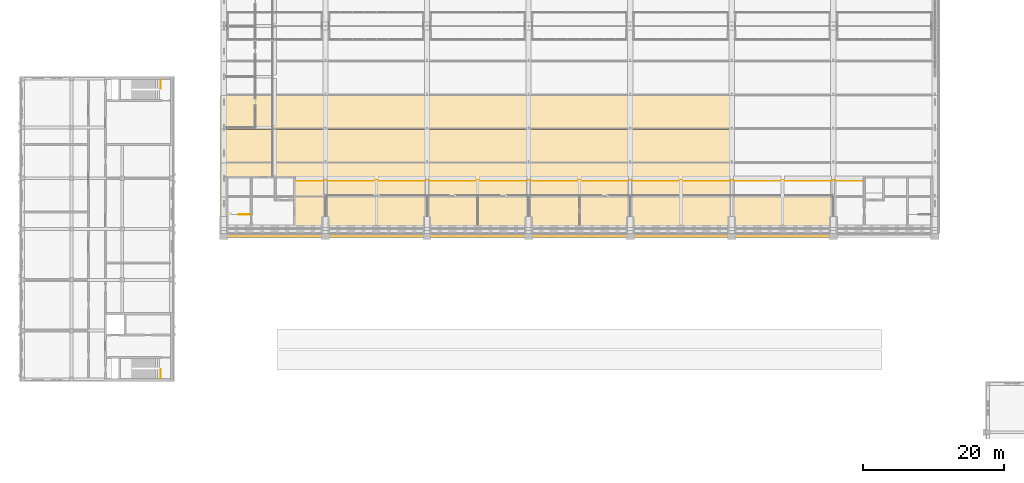
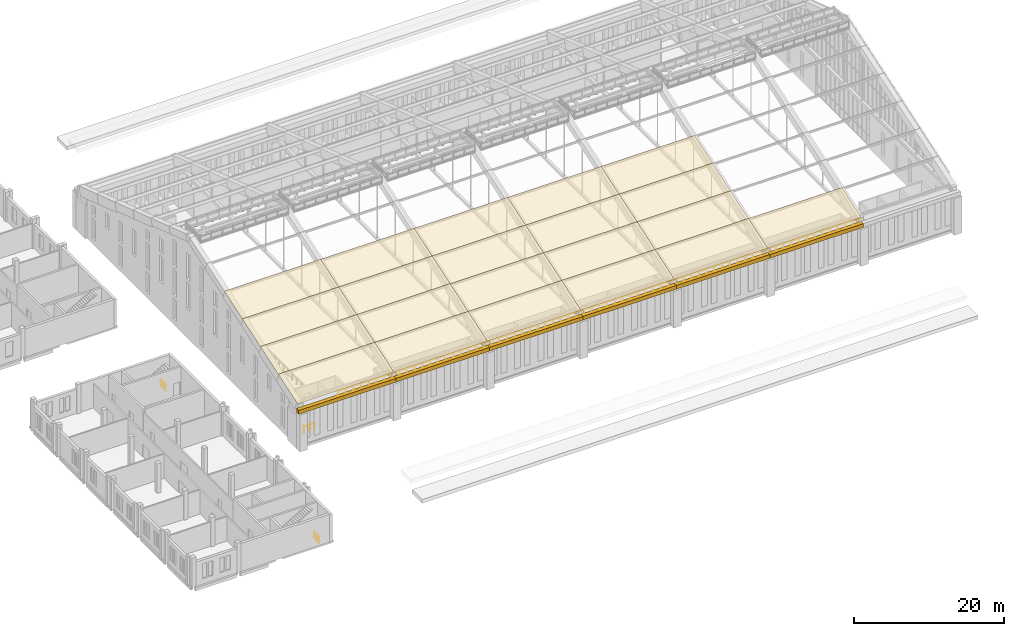
# One storey, part 145 of 149: 27 coverings, 4 railings.
"""IFC4 building model written with IfcOpenShell, lengths in metres."""

from ifc_helpers import new_model, si_unit, direction, frame, frame_2d, origin, origin_2d, place, context, subcontext, project, spatial, polyline, rectangle, circle, outline, extrude, material, layer, layer_set, type_object, element, save


model = new_model("IFC4")

# Units and contexts
model_context = context("Model", 3, precision=1e-05, world=origin(), true_north=direction((0.0, 1.0)))
body_context = subcontext(model_context, "Body", "Model", "MODEL_VIEW")
ifc_project = project(units=[si_unit("LENGTHUNIT", "METRE"), si_unit("AREAUNIT", "SQUARE_METRE"), si_unit("VOLUMEUNIT", "CUBIC_METRE"), si_unit("PLANEANGLEUNIT", "RADIAN"), si_unit("MASSUNIT", "GRAM", prefix="KILO")], contexts=[model_context])

# Site, building, storey
site_placement = place(None, origin())
site = spatial("IfcSite", under=ifc_project, at=site_placement, CompositionType="ELEMENT")
building_placement = place(site_placement, origin())
building = spatial("IfcBuilding", under=site, at=building_placement, Name="Alderwick Market Hall", CompositionType="ELEMENT")
storey_placement = place(building_placement, frame((0.0, 0.0, 9.60009765625)))
storey = spatial("IfcBuildingStorey", under=building, at=storey_placement, Name="L01", CompositionType="ELEMENT", Elevation=9.60009765625)

# Railings
ifc_material_1 = material(Name="Steel ASTM A500 Grade C", Category="steel")
railing_type_1 = type_object("IfcRailingType", Name="B Stair Guard 1100", PredefinedType="GUARDRAIL", material=ifc_material_1)
railing_1_placement = place(storey_placement, frame((41.449951171875, 29.25, 0.0)))
element("IfcRailing", 1, at=railing_1_placement, inside=storey, type_object=railing_type_1, Name="Stair well guard", PredefinedType="GUARDRAIL", context=body_context, shape_type="SweptSolid", body=[
    extrude(circle(Radius=0.02392578125, at=origin_2d()), frame((0.0, 0.0, 1.076171875), z_axis=(0.0, 1.0, 0.0), x_axis=(-1.0, 0.0, 0.0)), (0.0, 0.0, 1.0), 1.27001953125),
    extrude(circle(Radius=0.02099609375, at=origin_2d()), origin(), (0.0, 0.0, 1.0), 1.052001953125),
    extrude(circle(Radius=0.02099609375, at=origin_2d()), frame((0.0, 0.635009765625, 0.0)), (0.0, 0.0, 1.0), 1.052001953125),
    extrude(circle(Radius=0.02099609375, at=origin_2d()), frame((0.0, 1.27001953125, 0.0)), (0.0, 0.0, 1.0), 1.052001953125),
])
railing_2_placement = place(storey_placement, frame((41.449951171875, 71.550048828125, 0.0)))
element("IfcRailing", 2, at=railing_2_placement, inside=storey, type_object=railing_type_1, Name="Stair well guard", PredefinedType="GUARDRAIL", context=body_context, shape_type="SweptSolid", body=[
    extrude(circle(Radius=0.02392578125, at=origin_2d()), frame((0.0, 0.0, 1.076171875), z_axis=(0.0, -1.0, 0.0), x_axis=(1.0, 0.0, 0.0)), (0.0, 0.0, 1.0), 1.27001953125),
    extrude(circle(Radius=0.02099609375, at=origin_2d()), origin(), (0.0, 0.0, 1.0), 1.052001953125),
    extrude(circle(Radius=0.02099609375, at=origin_2d()), frame((0.0, -0.635009765625, 0.0)), (0.0, 0.0, 1.0), 1.052001953125),
    extrude(circle(Radius=0.02099609375, at=origin_2d()), frame((0.0, -1.27001953125, 0.0)), (0.0, 0.0, 1.0), 1.052001953125),
])

# Coverings
ifc_material_2 = material(Name="Cast stone 5000 psi (f'c 35 MPa), ASTM C1364", Category="masonry")
ifc_layer_1 = layer(ifc_material_2, 0.60009765625)
ifc_layer_set_1 = layer_set([ifc_layer_1], Name="Cast stone 5000 psi (f'c 35 MPa), ASTM C1364")
covering_type_1 = type_object("IfcCoveringType", Name="H Cornice 600", PredefinedType="CLADDING", material=ifc_layer_set_1)
covering_1_placement = place(storey_placement, frame((49.800048828125, 49.5, 6.0), z_axis=(0.0, 0.0, 1.0), x_axis=(1.0, 0.0, 0.0)))
element("IfcCovering", 3, at=covering_1_placement, inside=storey, type_object=covering_type_1, Name="Cornice S", PredefinedType="CLADDING", context=body_context, shape_type="SweptSolid", body=[
    extrude(rectangle(XDim=15.0, YDim=0.60009765625, at=frame_2d((7.5, 0.0))), origin(), (0.0, 0.0, 1.0), 0.599853515625),
])
covering_2_placement = place(storey_placement, frame((64.800048828125, 49.5, 6.0), z_axis=(0.0, 0.0, 1.0), x_axis=(1.0, 0.0, 0.0)))
element("IfcCovering", 4, at=covering_2_placement, inside=storey, type_object=covering_type_1, Name="Cornice S", PredefinedType="CLADDING", context=body_context, shape_type="SweptSolid", body=[
    extrude(rectangle(XDim=14.39990234375, YDim=0.60009765625, at=frame_2d((7.199951171875, 0.0))), origin(), (0.0, 0.0, 1.0), 0.599853515625),
])
covering_3_placement = place(storey_placement, frame((79.199951171875, 49.5, 6.0), z_axis=(0.0, 0.0, 1.0), x_axis=(1.0, 0.0, 0.0)))
element("IfcCovering", 5, at=covering_3_placement, inside=storey, type_object=covering_type_1, Name="Cornice S", PredefinedType="CLADDING", context=body_context, shape_type="SweptSolid", body=[
    extrude(rectangle(XDim=14.400146484375, YDim=0.60009765625, at=frame_2d((7.2001953125, 0.0))), origin(), (0.0, 0.0, 1.0), 0.599853515625),
])
for number, where, z_axis, x_axis, name in (
    (6, (93.60009765625, 49.5, 6.0), (0.0, 0.0, 1.0), (1.0, 0.0, 0.0), "Cornice S"),
    (7, (108.0, 49.5, 6.0), (0.0, 0.0, 1.0), (1.0, 0.0, 0.0), "Cornice S"),
):
    element("IfcCovering", number, at=place(storey_placement, frame(where, z_axis=z_axis, x_axis=x_axis)), inside=storey, type_object=covering_type_1, Name=name, PredefinedType="CLADDING", context=body_context, shape_type="SweptSolid", body=[
        extrude(rectangle(XDim=14.39990234375, YDim=0.60009765625, at=frame_2d((7.199951171875, 0.0))), origin(), (0.0, 0.0, 1.0), 0.599853515625),
    ])
covering_4_placement = place(storey_placement, frame((122.39990234375, 49.5, 6.0), z_axis=(0.0, 0.0, 1.0), x_axis=(1.0, 0.0, 0.0)))
element("IfcCovering", 8, at=covering_4_placement, inside=storey, type_object=covering_type_1, Name="Cornice S", PredefinedType="CLADDING", context=body_context, shape_type="SweptSolid", body=[
    extrude(rectangle(XDim=14.400146484375, YDim=0.60009765625, at=frame_2d((7.2001953125, 0.0))), origin(), (0.0, 0.0, 1.0), 0.599853515625),
])

# Railings
ifc_material_3 = material(Name="Steel, painted", Category="steel")
railing_type_2 = type_object("IfcRailingType", Name="H Guard 1100", PredefinedType="GUARDRAIL", material=ifc_material_3)
railing_3_placement = place(storey_placement, frame((54.14990234375, 52.449951171875, 0.0)))
element("IfcRailing", 9, at=railing_3_placement, inside=storey, type_object=railing_type_2, Name="L01 H-SW top well guard 1", PredefinedType="GUARDRAIL", context=body_context, shape_type="SweptSolid", body=[
    extrude(circle(Radius=0.02392578125, at=origin_2d()), frame((0.0, 0.0, 1.076171875), z_axis=(-1.0, 0.0, 0.0), x_axis=(0.0, -1.0, 0.0)), (0.0, 0.0, 1.0), 1.64990234375),
    extrude(circle(Radius=0.02099609375, at=origin_2d()), origin(), (0.0, 0.0, 1.0), 1.052001953125),
    extrude(circle(Radius=0.02099609375, at=origin_2d()), frame((-0.824951171875, 0.0, 0.0)), (0.0, 0.0, 1.0), 1.052001953125),
    extrude(circle(Radius=0.02099609375, at=origin_2d()), frame((-1.64990234375, 0.0, 0.0)), (0.0, 0.0, 1.0), 1.052001953125),
])
railing_4_placement = place(storey_placement, frame((60.550048828125, 57.300048828125, 0.0)))
element("IfcRailing", 10, at=railing_4_placement, inside=storey, type_object=railing_type_2, Name="Gallery guard S L01", PredefinedType="GUARDRAIL", context=body_context, shape_type="SweptSolid", body=[
    extrude(circle(Radius=0.02392578125, at=origin_2d()), frame((0.0, 0.0, 1.076171875), z_axis=(1.0, 0.0, 0.0), x_axis=(0.0, 1.0, 0.0)), (0.0, 0.0, 1.0), 80.5),
    extrude(circle(Radius=0.02099609375, at=origin_2d()), origin(), (0.0, 0.0, 1.0), 1.052001953125),
    extrude(circle(Radius=0.02099609375, at=origin_2d()), frame((1.183837890625, 0.0, 0.0)), (0.0, 0.0, 1.0), 1.052001953125),
    extrude(circle(Radius=0.02099609375, at=origin_2d()), frame((2.36767578125, 0.0, 0.0)), (0.0, 0.0, 1.0), 1.052001953125),
    extrude(circle(Radius=0.02099609375, at=origin_2d()), frame((3.551513671875, 0.0, 0.0)), (0.0, 0.0, 1.0), 1.052001953125),
    extrude(circle(Radius=0.02099609375, at=origin_2d()), frame((4.7353515625, 0.0, 0.0)), (0.0, 0.0, 1.0), 1.052001953125),
    extrude(circle(Radius=0.02099609375, at=origin_2d()), frame((5.919189453125, 0.0, 0.0)), (0.0, 0.0, 1.0), 1.052001953125),
    extrude(circle(Radius=0.02099609375, at=origin_2d()), frame((7.10302734375, 0.0, 0.0)), (0.0, 0.0, 1.0), 1.052001953125),
    extrude(circle(Radius=0.02099609375, at=origin_2d()), frame((8.286865234375, 0.0, 0.0)), (0.0, 0.0, 1.0), 1.052001953125),
    extrude(circle(Radius=0.02099609375, at=origin_2d()), frame((9.470703125, 0.0, 0.0)), (0.0, 0.0, 1.0), 1.052001953125),
    extrude(circle(Radius=0.02099609375, at=origin_2d()), frame((10.654296875, 0.0, 0.0)), (0.0, 0.0, 1.0), 1.052001953125),
    extrude(circle(Radius=0.02099609375, at=origin_2d()), frame((11.838134765625, 0.0, 0.0)), (0.0, 0.0, 1.0), 1.052001953125),
    extrude(circle(Radius=0.02099609375, at=origin_2d()), frame((13.02197265625, 0.0, 0.0)), (0.0, 0.0, 1.0), 1.052001953125),
    extrude(circle(Radius=0.02099609375, at=origin_2d()), frame((14.205810546875, 0.0, 0.0)), (0.0, 0.0, 1.0), 1.052001953125),
    extrude(circle(Radius=0.02099609375, at=origin_2d()), frame((15.3896484375, 0.0, 0.0)), (0.0, 0.0, 1.0), 1.052001953125),
    extrude(circle(Radius=0.02099609375, at=origin_2d()), frame((16.573486328125, 0.0, 0.0)), (0.0, 0.0, 1.0), 1.052001953125),
    extrude(circle(Radius=0.02099609375, at=origin_2d()), frame((17.75732421875, 0.0, 0.0)), (0.0, 0.0, 1.0), 1.052001953125),
    extrude(circle(Radius=0.02099609375, at=origin_2d()), frame((18.941162109375, 0.0, 0.0)), (0.0, 0.0, 1.0), 1.052001953125),
    extrude(circle(Radius=0.02099609375, at=origin_2d()), frame((20.125, 0.0, 0.0)), (0.0, 0.0, 1.0), 1.052001953125),
    extrude(circle(Radius=0.02099609375, at=origin_2d()), frame((21.308837890625, 0.0, 0.0)), (0.0, 0.0, 1.0), 1.052001953125),
    extrude(circle(Radius=0.02099609375, at=origin_2d()), frame((22.49267578125, 0.0, 0.0)), (0.0, 0.0, 1.0), 1.052001953125),
    extrude(circle(Radius=0.02099609375, at=origin_2d()), frame((23.676513671875, 0.0, 0.0)), (0.0, 0.0, 1.0), 1.052001953125),
    extrude(circle(Radius=0.02099609375, at=origin_2d()), frame((24.8603515625, 0.0, 0.0)), (0.0, 0.0, 1.0), 1.052001953125),
    extrude(circle(Radius=0.02099609375, at=origin_2d()), frame((26.044189453125, 0.0, 0.0)), (0.0, 0.0, 1.0), 1.052001953125),
    extrude(circle(Radius=0.02099609375, at=origin_2d()), frame((27.22802734375, 0.0, 0.0)), (0.0, 0.0, 1.0), 1.052001953125),
    extrude(circle(Radius=0.02099609375, at=origin_2d()), frame((28.411865234375, 0.0, 0.0)), (0.0, 0.0, 1.0), 1.052001953125),
    extrude(circle(Radius=0.02099609375, at=origin_2d()), frame((29.595703125, 0.0, 0.0)), (0.0, 0.0, 1.0), 1.052001953125),
    extrude(circle(Radius=0.02099609375, at=origin_2d()), frame((30.779296875, 0.0, 0.0)), (0.0, 0.0, 1.0), 1.052001953125),
    extrude(circle(Radius=0.02099609375, at=origin_2d()), frame((31.963134765625, 0.0, 0.0)), (0.0, 0.0, 1.0), 1.052001953125),
    extrude(circle(Radius=0.02099609375, at=origin_2d()), frame((33.14697265625, 0.0, 0.0)), (0.0, 0.0, 1.0), 1.052001953125),
    extrude(circle(Radius=0.02099609375, at=origin_2d()), frame((34.330810546875, 0.0, 0.0)), (0.0, 0.0, 1.0), 1.052001953125),
    extrude(circle(Radius=0.02099609375, at=origin_2d()), frame((35.5146484375, 0.0, 0.0)), (0.0, 0.0, 1.0), 1.052001953125),
    extrude(circle(Radius=0.02099609375, at=origin_2d()), frame((36.698486328125, 0.0, 0.0)), (0.0, 0.0, 1.0), 1.052001953125),
    extrude(circle(Radius=0.02099609375, at=origin_2d()), frame((37.88232421875, 0.0, 0.0)), (0.0, 0.0, 1.0), 1.052001953125),
    extrude(circle(Radius=0.02099609375, at=origin_2d()), frame((39.066162109375, 0.0, 0.0)), (0.0, 0.0, 1.0), 1.052001953125),
    extrude(circle(Radius=0.02099609375, at=origin_2d()), frame((40.25, 0.0, 0.0)), (0.0, 0.0, 1.0), 1.052001953125),
    extrude(circle(Radius=0.02099609375, at=origin_2d()), frame((41.433837890625, 0.0, 0.0)), (0.0, 0.0, 1.0), 1.052001953125),
    extrude(circle(Radius=0.02099609375, at=origin_2d()), frame((42.61767578125, 0.0, 0.0)), (0.0, 0.0, 1.0), 1.052001953125),
    extrude(circle(Radius=0.02099609375, at=origin_2d()), frame((43.801513671875, 0.0, 0.0)), (0.0, 0.0, 1.0), 1.052001953125),
    extrude(circle(Radius=0.02099609375, at=origin_2d()), frame((44.9853515625, 0.0, 0.0)), (0.0, 0.0, 1.0), 1.052001953125),
    extrude(circle(Radius=0.02099609375, at=origin_2d()), frame((46.169189453125, 0.0, 0.0)), (0.0, 0.0, 1.0), 1.052001953125),
    extrude(circle(Radius=0.02099609375, at=origin_2d()), frame((47.35302734375, 0.0, 0.0)), (0.0, 0.0, 1.0), 1.052001953125),
    extrude(circle(Radius=0.02099609375, at=origin_2d()), frame((48.536865234375, 0.0, 0.0)), (0.0, 0.0, 1.0), 1.052001953125),
    extrude(circle(Radius=0.02099609375, at=origin_2d()), frame((49.720703125, 0.0, 0.0)), (0.0, 0.0, 1.0), 1.052001953125),
    extrude(circle(Radius=0.02099609375, at=origin_2d()), frame((50.904296875, 0.0, 0.0)), (0.0, 0.0, 1.0), 1.052001953125),
    extrude(circle(Radius=0.02099609375, at=origin_2d()), frame((52.088134765625, 0.0, 0.0)), (0.0, 0.0, 1.0), 1.052001953125),
    extrude(circle(Radius=0.02099609375, at=origin_2d()), frame((53.27197265625, 0.0, 0.0)), (0.0, 0.0, 1.0), 1.052001953125),
    extrude(circle(Radius=0.02099609375, at=origin_2d()), frame((54.455810546875, 0.0, 0.0)), (0.0, 0.0, 1.0), 1.052001953125),
    extrude(circle(Radius=0.02099609375, at=origin_2d()), frame((55.6396484375, 0.0, 0.0)), (0.0, 0.0, 1.0), 1.052001953125),
    extrude(circle(Radius=0.02099609375, at=origin_2d()), frame((56.823486328125, 0.0, 0.0)), (0.0, 0.0, 1.0), 1.052001953125),
    extrude(circle(Radius=0.02099609375, at=origin_2d()), frame((58.00732421875, 0.0, 0.0)), (0.0, 0.0, 1.0), 1.052001953125),
    extrude(circle(Radius=0.02099609375, at=origin_2d()), frame((59.191162109375, 0.0, 0.0)), (0.0, 0.0, 1.0), 1.052001953125),
    extrude(circle(Radius=0.02099609375, at=origin_2d()), frame((60.375, 0.0, 0.0)), (0.0, 0.0, 1.0), 1.052001953125),
    extrude(circle(Radius=0.02099609375, at=origin_2d()), frame((61.558837890625, 0.0, 0.0)), (0.0, 0.0, 1.0), 1.052001953125),
    extrude(circle(Radius=0.02099609375, at=origin_2d()), frame((62.74267578125, 0.0, 0.0)), (0.0, 0.0, 1.0), 1.052001953125),
    extrude(circle(Radius=0.02099609375, at=origin_2d()), frame((63.926513671875, 0.0, 0.0)), (0.0, 0.0, 1.0), 1.052001953125),
    extrude(circle(Radius=0.02099609375, at=origin_2d()), frame((65.1103515625, 0.0, 0.0)), (0.0, 0.0, 1.0), 1.052001953125),
    extrude(circle(Radius=0.02099609375, at=origin_2d()), frame((66.294189453125, 0.0, 0.0)), (0.0, 0.0, 1.0), 1.052001953125),
    extrude(circle(Radius=0.02099609375, at=origin_2d()), frame((67.47802734375, 0.0, 0.0)), (0.0, 0.0, 1.0), 1.052001953125),
    extrude(circle(Radius=0.02099609375, at=origin_2d()), frame((68.661865234375, 0.0, 0.0)), (0.0, 0.0, 1.0), 1.052001953125),
    extrude(circle(Radius=0.02099609375, at=origin_2d()), frame((69.845703125, 0.0, 0.0)), (0.0, 0.0, 1.0), 1.052001953125),
    extrude(circle(Radius=0.02099609375, at=origin_2d()), frame((71.029296875, 0.0, 0.0)), (0.0, 0.0, 1.0), 1.052001953125),
    extrude(circle(Radius=0.02099609375, at=origin_2d()), frame((72.213134765625, 0.0, 0.0)), (0.0, 0.0, 1.0), 1.052001953125),
    extrude(circle(Radius=0.02099609375, at=origin_2d()), frame((73.39697265625, 0.0, 0.0)), (0.0, 0.0, 1.0), 1.052001953125),
    extrude(circle(Radius=0.02099609375, at=origin_2d()), frame((74.580810546875, 0.0, 0.0)), (0.0, 0.0, 1.0), 1.052001953125),
    extrude(circle(Radius=0.02099609375, at=origin_2d()), frame((75.7646484375, 0.0, 0.0)), (0.0, 0.0, 1.0), 1.052001953125),
    extrude(circle(Radius=0.02099609375, at=origin_2d()), frame((76.948486328125, 0.0, 0.0)), (0.0, 0.0, 1.0), 1.052001953125),
    extrude(circle(Radius=0.02099609375, at=origin_2d()), frame((78.13232421875, 0.0, 0.0)), (0.0, 0.0, 1.0), 1.052001953125),
    extrude(circle(Radius=0.02099609375, at=origin_2d()), frame((79.316162109375, 0.0, 0.0)), (0.0, 0.0, 1.0), 1.052001953125),
    extrude(circle(Radius=0.02099609375, at=origin_2d()), frame((80.5, 0.0, 0.0)), (0.0, 0.0, 1.0), 1.052001953125),
])

# Coverings
ifc_material_4 = material(Name="Copper standing seam roofing")
ifc_layer_2 = layer(ifc_material_4, 0.00390625)
ifc_layer_set_2 = layer_set([ifc_layer_2], Name="Copper standing seam roofing")
covering_type_2 = type_object("IfcCoveringType", Name="R Copper Roofing 4 mm", PredefinedType="ROOFING", material=ifc_layer_set_2)
covering_5_placement = place(storey_placement, frame((49.949951171875, 49.7734375, 7.270263671875), z_axis=(0.0, -0.316227766017, 0.948683298051), x_axis=(1.0, 0.0, 0.0)))
element("IfcCovering", 11, at=covering_5_placement, inside=storey, type_object=covering_type_2, Name="Copper roofing 1.1", PredefinedType="ROOFING", context=body_context, shape_type="SweptSolid", body=[
    extrude(outline(polyline([(0.0, 0.0), (14.85009765625, 0.0), (14.85009765625, 5.442113092413796), (0.0, 5.442113092413796), (0.0, 0.0)])), origin(), (0.0, 0.0, -1.0), 0.00390625),
])
covering_6_placement = place(storey_placement, frame((49.949951171875, 54.936279296875, 8.9912109375), z_axis=(0.0, -0.316198814353, 0.948692948114), x_axis=(1.0, 0.0, 0.0)))
element("IfcCovering", 12, at=covering_6_placement, inside=storey, type_object=covering_type_2, Name="Copper roofing 1.2", PredefinedType="ROOFING", context=body_context, shape_type="SweptSolid", body=[
    extrude(outline(polyline([(0.0, 0.0), (14.85009765625, 0.0), (14.85009765625, 5.059644258625488), (0.0, 5.059644258625488), (0.0, 0.0)])), origin(), (0.0, 0.0, -1.0), 0.00390625),
])
covering_7_placement = place(storey_placement, frame((49.949951171875, 59.736328125, 10.591064453125), z_axis=(0.0, -0.316242241517, 0.948678472761), x_axis=(1.0, 0.0, 0.0)))
element("IfcCovering", 13, at=covering_7_placement, inside=storey, type_object=covering_type_2, Name="Copper roofing 1.3", PredefinedType="ROOFING", context=body_context, shape_type="SweptSolid", body=[
    extrude(outline(polyline([(0.0, 0.0), (14.85009765625, 0.0), (14.85009765625, 5.059721460902856), (0.0, 5.059721460902856), (0.0, 0.0)])), origin(), (0.0, 0.0, -1.0), 0.00390625),
])
covering_8_placement = place(storey_placement, frame((49.949951171875, 64.536376953125, 12.191162109375), z_axis=(0.0, -0.316213289559, 0.948688123414), x_axis=(1.0, 0.0, 0.0)))
element("IfcCovering", 14, at=covering_8_placement, inside=storey, type_object=covering_type_2, Name="Copper roofing 1.4", PredefinedType="ROOFING", context=body_context, shape_type="SweptSolid", body=[
    extrude(outline(polyline([(0.0, 0.0), (14.85009765625, 0.0), (14.85009765625, 5.059412644725142), (0.0, 5.059412644725142), (0.0, 0.0)])), origin(), (0.0, 0.0, -1.0), 0.00390625),
])
covering_9_placement = place(storey_placement, frame((64.800048828125, 49.7734375, 7.270263671875), z_axis=(0.0, -0.316227766017, 0.948683298051), x_axis=(1.0, 0.0, 0.0)))
element("IfcCovering", 15, at=covering_9_placement, inside=storey, type_object=covering_type_2, Name="Copper roofing 2.1", PredefinedType="ROOFING", context=body_context, shape_type="SweptSolid", body=[
    extrude(outline(polyline([(0.0, 0.0), (14.39990234375, 0.0), (14.39990234375, 5.442113092413796), (0.0, 5.442113092413796), (0.0, 0.0)])), origin(), (0.0, 0.0, -1.0), 0.00390625),
])
covering_10_placement = place(storey_placement, frame((64.800048828125, 54.936279296875, 8.9912109375), z_axis=(0.0, -0.316198814353, 0.948692948114), x_axis=(1.0, 0.0, 0.0)))
element("IfcCovering", 16, at=covering_10_placement, inside=storey, type_object=covering_type_2, Name="Copper roofing 2.2", PredefinedType="ROOFING", context=body_context, shape_type="SweptSolid", body=[
    extrude(outline(polyline([(0.0, 0.0), (14.39990234375, 0.0), (14.39990234375, 5.059644258625488), (0.0, 5.059644258625488), (0.0, 0.0)])), origin(), (0.0, 0.0, -1.0), 0.00390625),
])
covering_11_placement = place(storey_placement, frame((64.800048828125, 59.736328125, 10.591064453125), z_axis=(0.0, -0.316242241517, 0.948678472761), x_axis=(1.0, 0.0, 0.0)))
element("IfcCovering", 17, at=covering_11_placement, inside=storey, type_object=covering_type_2, Name="Copper roofing 2.3", PredefinedType="ROOFING", context=body_context, shape_type="SweptSolid", body=[
    extrude(outline(polyline([(0.0, 0.0), (14.39990234375, 0.0), (14.39990234375, 5.059721460902856), (0.0, 5.059721460902856), (0.0, 0.0)])), origin(), (0.0, 0.0, -1.0), 0.00390625),
])
covering_12_placement = place(storey_placement, frame((64.800048828125, 64.536376953125, 12.191162109375), z_axis=(0.0, -0.316213289559, 0.948688123414), x_axis=(1.0, 0.0, 0.0)))
element("IfcCovering", 18, at=covering_12_placement, inside=storey, type_object=covering_type_2, Name="Copper roofing 2.4", PredefinedType="ROOFING", context=body_context, shape_type="SweptSolid", body=[
    extrude(outline(polyline([(0.0, 0.0), (14.39990234375, 0.0), (14.39990234375, 5.059412644725141), (0.0, 5.059412644725141), (0.0, 0.0)])), origin(), (0.0, 0.0, -1.0), 0.00390625),
])
covering_13_placement = place(storey_placement, frame((79.199951171875, 49.7734375, 7.270263671875), z_axis=(0.0, -0.316227766017, 0.948683298051), x_axis=(1.0, 0.0, 0.0)))
element("IfcCovering", 19, at=covering_13_placement, inside=storey, type_object=covering_type_2, Name="Copper roofing 3.1", PredefinedType="ROOFING", context=body_context, shape_type="SweptSolid", body=[
    extrude(outline(polyline([(0.0, 0.0), (14.400146484375, 0.0), (14.400146484375, 5.442113092413796), (0.0, 5.442113092413796), (0.0, 0.0)])), origin(), (0.0, 0.0, -1.0), 0.00390625),
])
covering_14_placement = place(storey_placement, frame((79.199951171875, 54.936279296875, 8.9912109375), z_axis=(0.0, -0.316198814353, 0.948692948114), x_axis=(1.0, 0.0, 0.0)))
element("IfcCovering", 20, at=covering_14_placement, inside=storey, type_object=covering_type_2, Name="Copper roofing 3.2", PredefinedType="ROOFING", context=body_context, shape_type="SweptSolid", body=[
    extrude(outline(polyline([(0.0, 0.0), (14.400146484375, 0.0), (14.400146484375, 5.059644258625487), (0.0, 5.059644258625487), (0.0, 0.0)])), origin(), (0.0, 0.0, -1.0), 0.00390625),
])
covering_15_placement = place(storey_placement, frame((79.199951171875, 59.736328125, 10.591064453125), z_axis=(0.0, -0.316242241517, 0.948678472761), x_axis=(1.0, 0.0, 0.0)))
element("IfcCovering", 21, at=covering_15_placement, inside=storey, type_object=covering_type_2, Name="Copper roofing 3.3", PredefinedType="ROOFING", context=body_context, shape_type="SweptSolid", body=[
    extrude(outline(polyline([(0.0, 0.0), (14.400146484375, 0.0), (14.400146484375, 5.059721460902856), (0.0, 5.059721460902856), (0.0, 0.0)])), origin(), (0.0, 0.0, -1.0), 0.00390625),
])
covering_16_placement = place(storey_placement, frame((79.199951171875, 64.536376953125, 12.191162109375), z_axis=(0.0, -0.316213289559, 0.948688123414), x_axis=(1.0, 0.0, 0.0)))
element("IfcCovering", 22, at=covering_16_placement, inside=storey, type_object=covering_type_2, Name="Copper roofing 3.4", PredefinedType="ROOFING", context=body_context, shape_type="SweptSolid", body=[
    extrude(outline(polyline([(0.0, 0.0), (14.400146484375, 0.0), (14.400146484375, 5.059412644725141), (0.0, 5.059412644725141), (0.0, 0.0)])), origin(), (0.0, 0.0, -1.0), 0.00390625),
])
covering_17_placement = place(storey_placement, frame((93.60009765625, 49.7734375, 7.270263671875), z_axis=(0.0, -0.316227766017, 0.948683298051), x_axis=(1.0, 0.0, 0.0)))
element("IfcCovering", 23, at=covering_17_placement, inside=storey, type_object=covering_type_2, Name="Copper roofing 4.1", PredefinedType="ROOFING", context=body_context, shape_type="SweptSolid", body=[
    extrude(outline(polyline([(0.0, 0.0), (14.39990234375, 0.0), (14.39990234375, 5.442113092413796), (0.0, 5.442113092413796), (0.0, 0.0)])), origin(), (0.0, 0.0, -1.0), 0.00390625),
])
covering_18_placement = place(storey_placement, frame((93.60009765625, 54.936279296875, 8.9912109375), z_axis=(0.0, -0.316198814353, 0.948692948114), x_axis=(1.0, 0.0, 0.0)))
element("IfcCovering", 24, at=covering_18_placement, inside=storey, type_object=covering_type_2, Name="Copper roofing 4.2", PredefinedType="ROOFING", context=body_context, shape_type="SweptSolid", body=[
    extrude(outline(polyline([(0.0, 0.0), (14.39990234375, 0.0), (14.39990234375, 5.059644258625488), (0.0, 5.059644258625488), (0.0, 0.0)])), origin(), (0.0, 0.0, -1.0), 0.00390625),
])
covering_19_placement = place(storey_placement, frame((93.60009765625, 59.736328125, 10.591064453125), z_axis=(0.0, -0.316242241517, 0.948678472761), x_axis=(1.0, 0.0, 0.0)))
element("IfcCovering", 25, at=covering_19_placement, inside=storey, type_object=covering_type_2, Name="Copper roofing 4.3", PredefinedType="ROOFING", context=body_context, shape_type="SweptSolid", body=[
    extrude(outline(polyline([(0.0, 0.0), (14.39990234375, 0.0), (14.39990234375, 5.059721460902856), (0.0, 5.059721460902856), (0.0, 0.0)])), origin(), (0.0, 0.0, -1.0), 0.00390625),
])
covering_20_placement = place(storey_placement, frame((93.60009765625, 64.536376953125, 12.191162109375), z_axis=(0.0, -0.316213289559, 0.948688123414), x_axis=(1.0, 0.0, 0.0)))
element("IfcCovering", 26, at=covering_20_placement, inside=storey, type_object=covering_type_2, Name="Copper roofing 4.4", PredefinedType="ROOFING", context=body_context, shape_type="SweptSolid", body=[
    extrude(outline(polyline([(0.0, 0.0), (14.39990234375, 0.0), (14.39990234375, 5.059412644725141), (0.0, 5.059412644725141), (0.0, 0.0)])), origin(), (0.0, 0.0, -1.0), 0.00390625),
])
covering_21_placement = place(storey_placement, frame((108.0, 49.7734375, 7.270263671875), z_axis=(0.0, -0.316227766017, 0.948683298051), x_axis=(1.0, 0.0, 0.0)))
element("IfcCovering", 27, at=covering_21_placement, inside=storey, type_object=covering_type_2, Name="Copper roofing 5.1", PredefinedType="ROOFING", context=body_context, shape_type="SweptSolid", body=[
    extrude(outline(polyline([(0.0, 0.0), (14.39990234375, 0.0), (14.39990234375, 5.442113092413796), (0.0, 5.442113092413796), (0.0, 0.0)])), origin(), (0.0, 0.0, -1.0), 0.00390625),
])
covering_22_placement = place(storey_placement, frame((108.0, 54.936279296875, 8.9912109375), z_axis=(0.0, -0.316198814353, 0.948692948114), x_axis=(1.0, 0.0, 0.0)))
element("IfcCovering", 28, at=covering_22_placement, inside=storey, type_object=covering_type_2, Name="Copper roofing 5.2", PredefinedType="ROOFING", context=body_context, shape_type="SweptSolid", body=[
    extrude(outline(polyline([(0.0, 0.0), (14.39990234375, 0.0), (14.39990234375, 5.059644258625488), (0.0, 5.059644258625488), (0.0, 0.0)])), origin(), (0.0, 0.0, -1.0), 0.00390625),
])
covering_23_placement = place(storey_placement, frame((108.0, 59.736328125, 10.591064453125), z_axis=(0.0, -0.316242241517, 0.948678472761), x_axis=(1.0, 0.0, 0.0)))
element("IfcCovering", 29, at=covering_23_placement, inside=storey, type_object=covering_type_2, Name="Copper roofing 5.3", PredefinedType="ROOFING", context=body_context, shape_type="SweptSolid", body=[
    extrude(outline(polyline([(0.0, 0.0), (14.39990234375, 0.0), (14.39990234375, 5.059721460902856), (0.0, 5.059721460902856), (0.0, 0.0)])), origin(), (0.0, 0.0, -1.0), 0.00390625),
])
covering_24_placement = place(storey_placement, frame((108.0, 64.536376953125, 12.191162109375), z_axis=(0.0, -0.316213289559, 0.948688123414), x_axis=(1.0, 0.0, 0.0)))
element("IfcCovering", 30, at=covering_24_placement, inside=storey, type_object=covering_type_2, Name="Copper roofing 5.4", PredefinedType="ROOFING", context=body_context, shape_type="SweptSolid", body=[
    extrude(outline(polyline([(0.0, 0.0), (14.39990234375, 0.0), (14.39990234375, 5.059412644725141), (0.0, 5.059412644725141), (0.0, 0.0)])), origin(), (0.0, 0.0, -1.0), 0.00390625),
])
covering_25_placement = place(storey_placement, frame((122.39990234375, 49.7734375, 7.270263671875), z_axis=(0.0, -0.316227766017, 0.948683298051), x_axis=(1.0, 0.0, 0.0)))
element("IfcCovering", 31, at=covering_25_placement, inside=storey, type_object=covering_type_2, Name="Copper roofing 6.1", PredefinedType="ROOFING", context=body_context, shape_type="SweptSolid", body=[
    extrude(outline(polyline([(0.0, 0.0), (14.400146484375, 0.0), (14.400146484375, 5.442113092413796), (0.0, 5.442113092413796), (0.0, 0.0)])), origin(), (0.0, 0.0, -1.0), 0.00390625),
])

save(model, "model.ifc")
